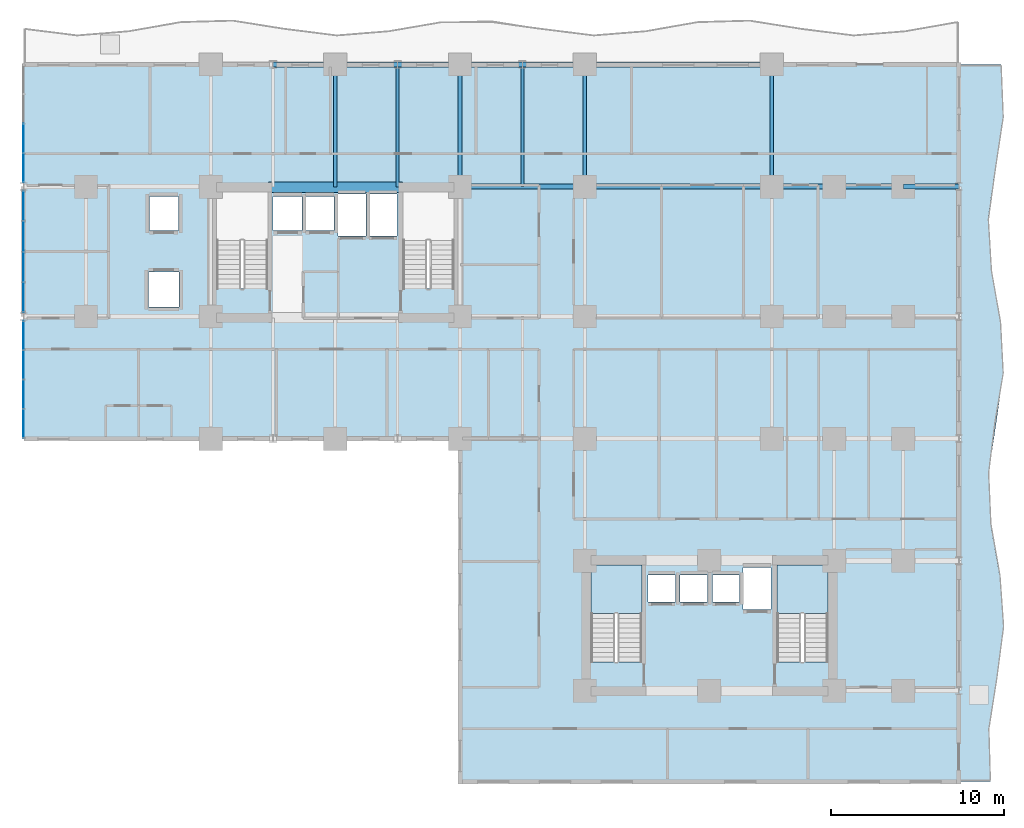
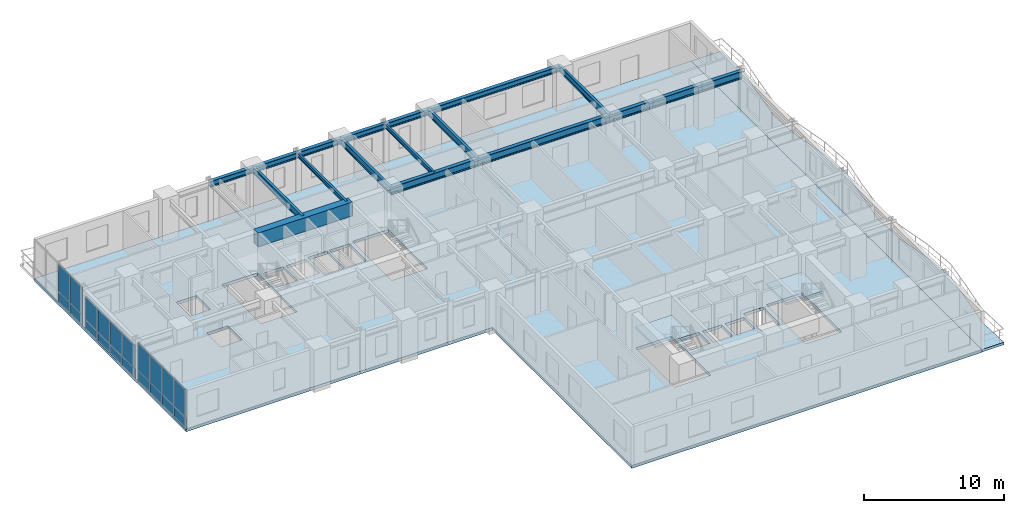
# One storey, part 9 of 19: 20 plates, 18 beams, 4 slabs, 5 elements without a shape of their own.
"""IFC4 building model written with IfcOpenShell, lengths in metres."""

from ifc_helpers import new_model, si_unit, direction, frame, origin, origin_2d, place, context, subcontext, project, spatial, polyline, rectangle, i_section, outline, extrude, source, transform, mapped, material, layer, layer_set, material_profile, profile_set, type_object, element, aggregate, save


model = new_model("IFC4")

# Units and contexts
model_context = context("Model", 3, precision=1e-05, world=origin(), true_north=direction((0.0, 1.0)))
body_context = subcontext(model_context, "Body", "Model", "MODEL_VIEW")
ifc_project = project(units=[si_unit("LENGTHUNIT", "METRE"), si_unit("AREAUNIT", "SQUARE_METRE"), si_unit("VOLUMEUNIT", "CUBIC_METRE"), si_unit("PLANEANGLEUNIT", "RADIAN"), si_unit("MASSUNIT", "GRAM", prefix="KILO")], contexts=[model_context])

# Site, building, storey
site_placement = place(None, origin())
site = spatial("IfcSite", under=ifc_project, at=site_placement, CompositionType="ELEMENT")
building_placement = place(site_placement, origin())
building = spatial("IfcBuilding", under=site, at=building_placement, Name="Kaliganga Portal Commons", CompositionType="ELEMENT")
storey_placement = place(building_placement, frame((0.0, 0.0, 32.699951171875)))
storey = spatial("IfcBuildingStorey", under=building, at=storey_placement, Name="L07", CompositionType="ELEMENT", Elevation=32.699951171875)

# Beams
ifc_material_1 = material(Name="Concrete C60/75", Category="concrete")
ifc_material_profile_1 = material_profile(ifc_material_1, rectangle(XDim=0.60009765625, YDim=1.199951171875, at=origin_2d()), Name="RC 600x1200")
ifc_profile_set_1 = profile_set([ifc_material_profile_1], Name="Concrete C60/75")
beam_type_1 = type_object("IfcBeamType", Name="BM-CPL-1200", PredefinedType="LINTEL", material=ifc_profile_set_1)
shared_shape_1 = source(origin(), body_context, "Body", "SweptSolid", [
    extrude(rectangle(XDim=0.60009765625, YDim=1.199951171875, at=origin_2d()), origin(), (0.0, 0.0, 1.0), 7.739990234375),
])
beam_1_placement = place(storey_placement, frame((17.72998046875, 36.125, 2.85009765625), z_axis=(1.0, 0.0, 0.0), x_axis=(0.0, 1.0, 0.0)))
element("IfcBeam", 1, at=beam_1_placement, inside=storey, type_object=beam_type_1, Name="BM CPL COREA L07 N", PredefinedType="LINTEL", context=body_context, shape_type="MappedRepresentation", body=[
    mapped(shared_shape_1, transform((0.0, 0.0, 0.0), x_axis=(1.0, 0.0, 0.0), y_axis=(0.0, 1.0, 0.0), z_axis=(0.0, 0.0, 1.0), scale=1.0)),
])
ifc_material_2 = material(Name="Structural steel S355J2", Category="steel")
ifc_material_profile_2 = material_profile(ifc_material_2, i_section(OverallWidth=0.300048828125, OverallDepth=0.5, WebThickness=0.014404296875, FlangeThickness=0.028076171875, FilletRadius=0.027099609375, at=origin_2d()), Name="HE 500 B")
ifc_profile_set_2 = profile_set([ifc_material_profile_2], Name="Structural steel S355J2 wide-flange")
beam_type_2 = type_object("IfcBeamType", Name="BM-SPAND-500", PredefinedType="SPANDREL", material=ifc_profile_set_2)
shared_shape_2 = source(origin(), body_context, "Body", "SweptSolid", [
    extrude(i_section(OverallWidth=0.300048828125, OverallDepth=0.5, WebThickness=0.014404296875, FlangeThickness=0.028076171875, FilletRadius=0.027099609375, at=origin_2d()), origin(), (0.0, 0.0, 1.0), 10.800048828125),
])
beam_2_placement = place(storey_placement, frame((36.0, 43.199951171875, 3.199951171875), z_axis=(1.0, 0.0, 0.0), x_axis=(0.0, 1.0, 0.0)))
element("IfcBeam", 2, at=beam_2_placement, inside=storey, type_object=beam_type_2, Name="BM SP L07 AN 7", PredefinedType="SPANDREL", context=body_context, shape_type="MappedRepresentation", body=[
    mapped(shared_shape_2, transform((0.0, 0.0, 0.0), x_axis=(1.0, 0.0, 0.0), y_axis=(0.0, 1.0, 0.0), z_axis=(0.0, 0.0, 1.0), scale=1.0)),
])
shared_shape_3 = source(origin(), body_context, "Body", "SweptSolid", [
    extrude(i_section(OverallWidth=0.300048828125, OverallDepth=0.5, WebThickness=0.014404296875, FlangeThickness=0.028076171875, FilletRadius=0.027099609375, at=origin_2d()), origin(), (0.0, 0.0, 1.0), 3.60009765625),
])
for number, where, z_axis, x_axis, name in (
    (3, (18.0, 43.199951171875, 3.199951171875), (1.0, 0.0, 0.0), (0.0, 1.0, 0.0), "BM SP L07 AN 2"),
    (4, (25.199951171875, 43.199951171875, 3.199951171875), (1.0, 0.0, 0.0), (0.0, 1.0, 0.0), "BM SP L07 AN 4"),
    (5, (32.39990234375, 43.199951171875, 3.199951171875), (1.0, 0.0, 0.0), (0.0, 1.0, 0.0), "BM SP L07 AN 6"),
):
    element("IfcBeam", number, at=place(storey_placement, frame(where, z_axis=z_axis, x_axis=x_axis)), inside=storey, type_object=beam_type_2, Name=name, PredefinedType="SPANDREL", context=body_context, shape_type="MappedRepresentation", body=[
        mapped(shared_shape_3, transform((0.0, 0.0, 0.0), x_axis=(1.0, 0.0, 0.0), y_axis=(0.0, 1.0, 0.0), z_axis=(0.0, 0.0, 1.0), scale=1.0)),
    ])
shared_shape_4 = source(origin(), body_context, "Body", "SweptSolid", [
    extrude(i_section(OverallWidth=0.300048828125, OverallDepth=0.5, WebThickness=0.014404296875, FlangeThickness=0.028076171875, FilletRadius=0.027099609375, at=origin_2d()), origin(), (0.0, 0.0, 1.0), 3.599853515625),
])
for number, where, z_axis, x_axis, name in (
    (6, (21.60009765625, 43.199951171875, 3.199951171875), (1.0, 0.0, 0.0), (0.0, 1.0, 0.0), "BM SP L07 AN 3"),
    (7, (28.800048828125, 43.199951171875, 3.199951171875), (1.0, 0.0, 0.0), (0.0, 1.0, 0.0), "BM SP L07 AN 5"),
):
    element("IfcBeam", number, at=place(storey_placement, frame(where, z_axis=z_axis, x_axis=x_axis)), inside=storey, type_object=beam_type_2, Name=name, PredefinedType="SPANDREL", context=body_context, shape_type="MappedRepresentation", body=[
        mapped(shared_shape_4, transform((0.0, 0.0, 0.0), x_axis=(1.0, 0.0, 0.0), y_axis=(0.0, 1.0, 0.0), z_axis=(0.0, 0.0, 1.0), scale=1.0)),
    ])
ifc_material_profile_3 = material_profile(ifc_material_2, i_section(OverallWidth=0.300048828125, OverallDepth=0.64990234375, WebThickness=0.01611328125, FlangeThickness=0.031005859375, FilletRadius=0.027099609375, at=origin_2d()), Name="HE 650 B")
ifc_profile_set_3 = profile_set([ifc_material_profile_3], Name="Structural steel S355J2 wide-flange")
beam_type_3 = type_object("IfcBeamType", Name="BM-GIRD-650", PredefinedType="USERDEFINED", material=ifc_profile_set_3)
shared_shape_5 = source(origin(), body_context, "Body", "SweptSolid", [
    extrude(i_section(OverallWidth=0.300048828125, OverallDepth=0.64990234375, WebThickness=0.01611328125, FlangeThickness=0.031005859375, FilletRadius=0.027099609375, at=origin_2d()), origin(), (0.0, 0.0, 1.0), 3.599853515625),
])
beam_3_placement = place(storey_placement, frame((46.800048828125, 36.14990234375, 3.125), z_axis=(1.0, 0.0, 0.0), x_axis=(0.0, 1.0, 0.0)))
element("IfcBeam", 8, at=beam_3_placement, inside=storey, type_object=beam_type_3, Name="BM G L07 BKE362 1", ObjectType="GIRDER", PredefinedType="USERDEFINED", context=body_context, shape_type="MappedRepresentation", body=[
    mapped(shared_shape_5, transform((0.0, 0.0, 0.0), x_axis=(1.0, 0.0, 0.0), y_axis=(0.0, 1.0, 0.0), z_axis=(0.0, 0.0, 1.0), scale=1.0)),
])
shared_shape_6 = source(origin(), body_context, "Body", "SweptSolid", [
    extrude(i_section(OverallWidth=0.300048828125, OverallDepth=0.64990234375, WebThickness=0.01611328125, FlangeThickness=0.031005859375, FilletRadius=0.027099609375, at=origin_2d()), origin(), (0.0, 0.0, 1.0), 7.199951171875),
])
beam_4_placement = place(storey_placement, frame((28.800048828125, 36.14990234375, 3.125), z_axis=(1.0, 0.0, 0.0), x_axis=(0.0, 1.0, 0.0)))
element("IfcBeam", 9, at=beam_4_placement, inside=storey, type_object=beam_type_3, Name="BM G L07 WAE_N 1", ObjectType="GIRDER", PredefinedType="USERDEFINED", context=body_context, shape_type="MappedRepresentation", body=[
    mapped(shared_shape_6, transform((0.0, 0.0, 0.0), x_axis=(1.0, 0.0, 0.0), y_axis=(0.0, 1.0, 0.0), z_axis=(0.0, 0.0, 1.0), scale=1.0)),
])
shared_shape_7 = source(origin(), body_context, "Body", "SweptSolid", [
    extrude(i_section(OverallWidth=0.300048828125, OverallDepth=0.64990234375, WebThickness=0.01611328125, FlangeThickness=0.031005859375, FilletRadius=0.027099609375, at=origin_2d()), origin(), (0.0, 0.0, 1.0), 10.800048828125),
])
beam_5_placement = place(storey_placement, frame((36.0, 36.14990234375, 3.125), z_axis=(1.0, 0.0, 0.0), x_axis=(0.0, 1.0, 0.0)))
element("IfcBeam", 10, at=beam_5_placement, inside=storey, type_object=beam_type_3, Name="BM G L07 WAE_N 2", ObjectType="GIRDER", PredefinedType="USERDEFINED", context=body_context, shape_type="MappedRepresentation", body=[
    mapped(shared_shape_7, transform((0.0, 0.0, 0.0), x_axis=(1.0, 0.0, 0.0), y_axis=(0.0, 1.0, 0.0), z_axis=(0.0, 0.0, 1.0), scale=1.0)),
])
ifc_material_profile_4 = material_profile(ifc_material_2, i_section(OverallWidth=0.2099609375, OverallDepth=0.550048828125, WebThickness=0.010986328125, FlangeThickness=0.01708984375, FilletRadius=0.02392578125, at=origin_2d()), Name="IPE 550")
ifc_profile_set_4 = profile_set([ifc_material_profile_4], Name="Structural steel S355J2 wide-flange")
beam_type_4 = type_object("IfcBeamType", Name="BM-FLR-550", PredefinedType="BEAM", material=ifc_profile_set_4)
shared_shape_8 = source(origin(), body_context, "Body", "SweptSolid", [
    extrude(i_section(OverallWidth=0.2099609375, OverallDepth=0.550048828125, WebThickness=0.010986328125, FlangeThickness=0.01708984375, FilletRadius=0.02392578125, at=origin_2d()), origin(), (0.0, 0.0, 1.0), 7.050048828125),
])
for number, where, z_axis, x_axis, name in (
    (11, (28.800048828125, 36.14990234375, 3.175048828125), (0.0, 1.0, 0.0), (-1.0, 0.0, 0.0), "BM G L07 AN288"),
    (12, (36.0, 36.14990234375, 3.175048828125), (0.0, 1.0, 0.0), (-1.0, 0.0, 0.0), "BM G L07 AN360"),
    (13, (46.800048828125, 36.14990234375, 3.175048828125), (0.0, 1.0, 0.0), (-1.0, 0.0, 0.0), "BM G L07 AN468"),
):
    element("IfcBeam", number, at=place(storey_placement, frame(where, z_axis=z_axis, x_axis=x_axis)), inside=storey, type_object=beam_type_4, Name=name, PredefinedType="BEAM", context=body_context, shape_type="MappedRepresentation", body=[
        mapped(shared_shape_8, transform((0.0, 0.0, 0.0), x_axis=(1.0, 0.0, 0.0), y_axis=(0.0, 1.0, 0.0), z_axis=(0.0, 0.0, 1.0), scale=1.0)),
    ])
ifc_material_profile_5 = material_profile(ifc_material_2, i_section(OverallWidth=0.169921875, OverallDepth=0.360107421875, WebThickness=0.008056640625, FlangeThickness=0.0126953125, FilletRadius=0.01806640625, at=origin_2d()), Name="IPE 360")
ifc_profile_set_5 = profile_set([ifc_material_profile_5], Name="Structural steel S355J2 wide-flange")
beam_type_5 = type_object("IfcBeamType", Name="BM-JST-360", PredefinedType="JOIST", material=ifc_profile_set_5)
shared_shape_9 = source(origin(), body_context, "Body", "SweptSolid", [
    extrude(i_section(OverallWidth=0.169921875, OverallDepth=0.360107421875, WebThickness=0.008056640625, FlangeThickness=0.0126953125, FilletRadius=0.01806640625, at=origin_2d()), origin(), (0.0, 0.0, 1.0), 7.074951171875),
])
beam_6_placement = place(storey_placement, frame((25.199951171875, 36.125, 3.27001953125), z_axis=(0.0, 1.0, 0.0), x_axis=(-1.0, 0.0, 0.0)))
element("IfcBeam", 14, at=beam_6_placement, inside=storey, type_object=beam_type_5, Name="BM G L07 AN252", PredefinedType="JOIST", context=body_context, shape_type="MappedRepresentation", body=[
    mapped(shared_shape_9, transform((0.0, 0.0, 0.0), x_axis=(1.0, 0.0, 0.0), y_axis=(0.0, 1.0, 0.0), z_axis=(0.0, 0.0, 1.0), scale=1.0)),
])
shared_shape_10 = source(origin(), body_context, "Body", "SweptSolid", [
    extrude(i_section(OverallWidth=0.2099609375, OverallDepth=0.550048828125, WebThickness=0.010986328125, FlangeThickness=0.01708984375, FilletRadius=0.02392578125, at=origin_2d()), origin(), (0.0, 0.0, 1.0), 7.074951171875),
])
beam_7_placement = place(storey_placement, frame((21.60009765625, 36.125, 3.175048828125), z_axis=(0.0, 1.0, 0.0), x_axis=(-1.0, 0.0, 0.0)))
element("IfcBeam", 15, at=beam_7_placement, inside=storey, type_object=beam_type_4, Name="BM G L07 AN216", PredefinedType="BEAM", context=body_context, shape_type="MappedRepresentation", body=[
    mapped(shared_shape_10, transform((0.0, 0.0, 0.0), x_axis=(1.0, 0.0, 0.0), y_axis=(0.0, 1.0, 0.0), z_axis=(0.0, 0.0, 1.0), scale=1.0)),
])
shared_shape_11 = source(origin(), body_context, "Body", "SweptSolid", [
    extrude(i_section(OverallWidth=0.169921875, OverallDepth=0.360107421875, WebThickness=0.008056640625, FlangeThickness=0.0126953125, FilletRadius=0.01806640625, at=origin_2d()), origin(), (0.0, 0.0, 1.0), 7.050048828125),
])
beam_8_placement = place(storey_placement, frame((32.39990234375, 36.14990234375, 3.27001953125), z_axis=(0.0, 1.0, 0.0), x_axis=(-1.0, 0.0, 0.0)))
element("IfcBeam", 16, at=beam_8_placement, inside=storey, type_object=beam_type_5, Name="BM G L07 AN324", PredefinedType="JOIST", context=body_context, shape_type="MappedRepresentation", body=[
    mapped(shared_shape_11, transform((0.0, 0.0, 0.0), x_axis=(1.0, 0.0, 0.0), y_axis=(0.0, 1.0, 0.0), z_axis=(0.0, 0.0, 1.0), scale=1.0)),
])
shared_shape_12 = source(origin(), body_context, "Body", "SweptSolid", [
    extrude(i_section(OverallWidth=0.300048828125, OverallDepth=0.64990234375, WebThickness=0.01611328125, FlangeThickness=0.031005859375, FilletRadius=0.027099609375, at=origin_2d()), origin(), (0.0, 0.0, 1.0), 4.0),
])
beam_9_placement = place(storey_placement, frame((50.39990234375, 36.14990234375, 3.125), z_axis=(1.0, 0.0, 0.0), x_axis=(0.0, 1.0, 0.0)))
element("IfcBeam", 17, at=beam_9_placement, inside=storey, type_object=beam_type_3, Name="BM G L07 BKE362 2", ObjectType="GIRDER", PredefinedType="USERDEFINED", context=body_context, shape_type="MappedRepresentation", body=[
    mapped(shared_shape_12, transform((0.0, 0.0, 0.0), x_axis=(1.0, 0.0, 0.0), y_axis=(0.0, 1.0, 0.0), z_axis=(0.0, 0.0, 1.0), scale=1.0)),
])
shared_shape_13 = source(origin(), body_context, "Body", "SweptSolid", [
    extrude(i_section(OverallWidth=0.300048828125, OverallDepth=0.64990234375, WebThickness=0.01611328125, FlangeThickness=0.031005859375, FilletRadius=0.027099609375, at=origin_2d()), origin(), (0.0, 0.0, 1.0), 3.2001953125),
])
beam_10_placement = place(storey_placement, frame((54.39990234375, 36.14990234375, 3.125), z_axis=(1.0, 0.0, 0.0), x_axis=(0.0, 1.0, 0.0)))
element("IfcBeam", 18, at=beam_10_placement, inside=storey, type_object=beam_type_3, Name="BM G L07 BKE362 3", ObjectType="GIRDER", PredefinedType="USERDEFINED", context=body_context, shape_type="MappedRepresentation", body=[
    mapped(shared_shape_13, transform((0.0, 0.0, 0.0), x_axis=(1.0, 0.0, 0.0), y_axis=(0.0, 1.0, 0.0), z_axis=(0.0, 0.0, 1.0), scale=1.0)),
])

# Slab
ifc_material_3 = material(Name="Concrete C40/50", Category="concrete")
ifc_layer_1 = layer(ifc_material_3, 0.2099609375)
ifc_layer_set_1 = layer_set([ifc_layer_1], Name="Concrete C40/50")
slab_type_1 = type_object("IfcSlabType", Name="SLB-BALC-210", PredefinedType="FLOOR", material=ifc_layer_set_1)
slab_1_placement = place(storey_placement, frame((0.0, 0.0, -0.2099609375)))
element("IfcSlab", 19, at=slab_1_placement, inside=storey, type_object=slab_type_1, Name="Scalloped Tree-Planter Balcony Slab L07 balc_east", PredefinedType="FLOOR", context=body_context, shape_type="SweptSolid", body=[
    extrude(outline(polyline([(57.60009765625, 1.800048828125), (59.42041015625, 1.800048828125), (59.33251953125, 4.757080078125), (59.798583984375, 7.71435546875), (60.18994140625, 10.67138671875), (59.979248046875, 13.628662109375), (59.450439453125, 16.585693359375), (59.31640625, 19.54296875), (59.757568359375, 22.5), (60.179443359375, 25.45703125), (60.013427734375, 28.414306640625), (59.483154296875, 31.371337890625), (59.303466796875, 34.32861328125), (59.716552734375, 37.28564453125), (60.16552734375, 40.242919921875), (60.04541015625, 43.199951171875), (57.60009765625, 43.199951171875), (57.60009765625, 1.800048828125)])), origin(), (0.0, 0.0, 1.0), 0.2099609375),
])

# Stair, slab
stair_type = type_object("IfcStairType", Name="ST-CORE-DOGLEG", PredefinedType="HALF_TURN_STAIR", material=ifc_material_3)
stair_1_placement = place(storey_placement, origin())
stair_1 = element("IfcStair", 20, at=stair_1_placement, inside=storey, type_object=stair_type, Name="L07 Protected Exit Stair ST-B1", PredefinedType="HALF_TURN_STAIR")
ifc_layer_2 = layer(ifc_material_3, 0.199951171875)
ifc_layer_set_2 = layer_set([ifc_layer_2], Name="Concrete C40/50")
slab_type_2 = type_object("IfcSlabType", Name="SLB-STAIR-LND", PredefinedType="LANDING", material=ifc_layer_set_2)
slab_2_placement = place(storey_placement, frame((0.0, 0.0, 1.650146484375)))
slab_2 = element("IfcSlab", 21, at=slab_2_placement, type_object=slab_type_2, Name="ST-B1 landing 1", PredefinedType="LANDING", context=body_context, shape_type="SweptSolid", body=[
    extrude(outline(polyline([(39.300048828125, 11.5), (39.300048828125, 14.300048828125), (36.35009765625, 14.300048828125), (36.35009765625, 11.5), (39.300048828125, 11.5)])), origin(), (0.0, 0.0, 1.0), 0.199951171875),
])
aggregate(stair_1, [slab_2])

stair_2_placement = place(storey_placement, origin())
stair_2 = element("IfcStair", 22, at=stair_2_placement, inside=storey, type_object=stair_type, Name="L07 Protected Exit Stair ST-B2", PredefinedType="HALF_TURN_STAIR")
slab_3_placement = place(storey_placement, frame((0.0, 0.0, 1.650146484375)))
slab_3 = element("IfcSlab", 23, at=slab_3_placement, type_object=slab_type_2, Name="ST-B2 landing 1", PredefinedType="LANDING", context=body_context, shape_type="SweptSolid", body=[
    extrude(outline(polyline([(50.050048828125, 11.5), (50.050048828125, 14.300048828125), (47.10009765625, 14.300048828125), (47.10009765625, 11.5), (50.050048828125, 11.5)])), origin(), (0.0, 0.0, 1.0), 0.199951171875),
])
aggregate(stair_2, [slab_3])

# Slab
ifc_layer_3 = layer(ifc_material_3, 0.25)
ifc_layer_set_3 = layer_set([ifc_layer_3], Name="Concrete C40/50")
slab_type_3 = type_object("IfcSlabType", Name="SLB-TWR-250", PredefinedType="FLOOR", material=ifc_layer_set_3)
slab_4_placement = place(storey_placement, frame((0.0, 0.0, -0.25)))
element("IfcSlab", 24, at=slab_4_placement, inside=storey, type_object=slab_type_3, Name="Structural Floor Slab L07", PredefinedType="FLOOR", context=body_context, shape_type="SweptSolid", body=[
    extrude(outline(polyline([(28.800048828125, 1.800048828125), (57.60009765625, 1.800048828125), (57.60009765625, 43.199951171875), (3.60009765625, 43.199951171875), (3.60009765625, 21.60009765625), (28.800048828125, 21.60009765625), (28.800048828125, 1.800048828125)]), holes=[polyline([(14.75, 30.25390625), (14.75, 35.85009765625), (17.699951171875, 35.85009765625), (17.699951171875, 30.25390625), (14.75, 30.25390625)]), polyline([(25.5, 30.25390625), (25.5, 35.85009765625), (28.449951171875, 35.85009765625), (28.449951171875, 30.25390625), (25.5, 30.25390625)]), polyline([(36.35009765625, 8.7041015625), (36.35009765625, 14.300048828125), (39.300048828125, 14.300048828125), (39.300048828125, 8.7041015625), (36.35009765625, 8.7041015625)]), polyline([(47.10009765625, 8.7041015625), (47.10009765625, 14.300048828125), (50.050048828125, 14.300048828125), (50.050048828125, 8.7041015625), (47.10009765625, 8.7041015625)]), polyline([(18.014892578125, 33.614990234375), (18.014892578125, 35.5849609375), (19.68505859375, 35.5849609375), (19.68505859375, 33.614990234375), (18.014892578125, 33.614990234375)]), polyline([(19.864990234375, 33.614990234375), (19.864990234375, 35.5849609375), (21.534912109375, 35.5849609375), (21.534912109375, 33.614990234375), (19.864990234375, 33.614990234375)]), polyline([(10.81494140625, 29.18994140625), (10.81494140625, 31.2099609375), (12.5849609375, 31.2099609375), (12.5849609375, 29.18994140625), (10.81494140625, 29.18994140625)]), polyline([(10.864990234375, 33.614990234375), (10.864990234375, 35.5849609375), (12.534912109375, 35.5849609375), (12.534912109375, 33.614990234375), (10.864990234375, 33.614990234375)]), polyline([(21.739990234375, 33.2900390625), (21.739990234375, 35.7099609375), (23.360107421875, 35.7099609375), (23.360107421875, 33.2900390625), (21.739990234375, 33.2900390625)]), polyline([(23.5400390625, 33.2900390625), (23.5400390625, 35.7099609375), (25.159912109375, 35.7099609375), (25.159912109375, 33.2900390625), (23.5400390625, 33.2900390625)]), polyline([(39.6650390625, 12.1650390625), (39.6650390625, 13.735107421875), (41.235107421875, 13.735107421875), (41.235107421875, 12.1650390625), (39.6650390625, 12.1650390625)]), polyline([(41.514892578125, 12.1650390625), (41.514892578125, 13.735107421875), (43.0849609375, 13.735107421875), (43.0849609375, 12.1650390625), (41.514892578125, 12.1650390625)]), polyline([(43.364990234375, 12.1650390625), (43.364990234375, 13.735107421875), (44.93505859375, 13.735107421875), (44.93505859375, 12.1650390625), (43.364990234375, 12.1650390625)]), polyline([(45.139892578125, 11.739990234375), (45.139892578125, 14.159912109375), (46.760009765625, 14.159912109375), (46.760009765625, 11.739990234375), (45.139892578125, 11.739990234375)])]), origin(), (0.0, 0.0, 1.0), 0.25),
])

# Curtain wall, plates
ifc_material_4 = material(Name="Anodized Aluminium and Laminated Low-E Glass", Category="aluminium")
ifc_layer_4 = layer(ifc_material_4, 0.199951171875)
ifc_layer_set_4 = layer_set([ifc_layer_4], Name="Anodized Aluminium and Laminated Low-E Glass")
curtain_wall_type = type_object("IfcCurtainWallType", Name="CW-SYS-02", PredefinedType="NOTDEFINED", material=ifc_layer_set_4)
curtain_wall_1_placement = place(storey_placement, origin())
curtain_wall_1 = element("IfcCurtainWall", 25, at=curtain_wall_1_placement, inside=storey, type_object=curtain_wall_type, Name="CW 02 L07 P1E03S1", PredefinedType="NOTDEFINED")
ifc_material_5 = material(Name="Insulated Dark Spandrel Panel", Category="metal")
ifc_layer_5 = layer(ifc_material_5, 0.044921875)
ifc_layer_set_5 = layer_set([ifc_layer_5], Name="Insulated Dark Spandrel Panel")
plate_type_1 = type_object("IfcPlateType", Name="PLT-SPN-45", PredefinedType="SHEET", material=ifc_layer_set_5)
shared_shape_14 = source(origin(), body_context, "Body", "SweptSolid", [
    extrude(rectangle(XDim=1.66650390625, YDim=0.044921875, at=origin_2d()), origin(), (0.0, 0.0, 1.0), 0.929931640625),
])
plate_1_placement = place(storey_placement, frame((3.60009765625, 38.933837890625, 0.01025390625), z_axis=(0.0, 0.0, 1.0), x_axis=(0.0, -1.0, 0.0)))
plate_1 = element("IfcPlate", 26, at=plate_1_placement, type_object=plate_type_1, Name="CW:02:L07:P1E03S1 Spandrel 02", PredefinedType="SHEET", context=body_context, shape_type="MappedRepresentation", body=[
    mapped(shared_shape_14, transform((0.0, 0.0, 0.0), x_axis=(1.0, 0.0, 0.0), y_axis=(0.0, 1.0, 0.0), z_axis=(0.0, 0.0, 1.0), scale=1.0)),
])
plate_2_placement = place(storey_placement, frame((3.60009765625, 37.227294921875, 0.01025390625), z_axis=(0.0, 0.0, 1.0), x_axis=(0.0, -1.0, 0.0)))
plate_2 = element("IfcPlate", 27, at=plate_2_placement, type_object=plate_type_1, Name="CW:02:L07:P1E03S1 Spandrel 03", PredefinedType="SHEET", context=body_context, shape_type="MappedRepresentation", body=[
    mapped(shared_shape_14, transform((0.0, 0.0, 0.0), x_axis=(1.0, 0.0, 0.0), y_axis=(0.0, 1.0, 0.0), z_axis=(0.0, 0.0, 1.0), scale=1.0)),
])

curtain_wall_2_placement = place(storey_placement, origin())
curtain_wall_2 = element("IfcCurtainWall", 28, at=curtain_wall_2_placement, inside=storey, type_object=curtain_wall_type, Name="CW 02 L07 P1E03S3", PredefinedType="NOTDEFINED")
plate_3_placement = place(storey_placement, frame((3.60009765625, 27.57275390625, 0.01025390625), z_axis=(0.0, 0.0, 1.0), x_axis=(0.0, -1.0, 0.0)))
plate_3 = element("IfcPlate", 29, at=plate_3_placement, type_object=plate_type_1, Name="CW:02:L07:P1E03S3 Spandrel 00", PredefinedType="SHEET", context=body_context, shape_type="MappedRepresentation", body=[
    mapped(shared_shape_14, transform((0.0, 0.0, 0.0), x_axis=(1.0, 0.0, 0.0), y_axis=(0.0, 1.0, 0.0), z_axis=(0.0, 0.0, 1.0), scale=1.0)),
])
plate_4_placement = place(storey_placement, frame((3.60009765625, 25.8662109375, 0.01025390625), z_axis=(0.0, 0.0, 1.0), x_axis=(0.0, -1.0, 0.0)))
plate_4 = element("IfcPlate", 30, at=plate_4_placement, type_object=plate_type_1, Name="CW:02:L07:P1E03S3 Spandrel 01", PredefinedType="SHEET", context=body_context, shape_type="MappedRepresentation", body=[
    mapped(shared_shape_14, transform((0.0, 0.0, 0.0), x_axis=(1.0, 0.0, 0.0), y_axis=(0.0, 1.0, 0.0), z_axis=(0.0, 0.0, 1.0), scale=1.0)),
])
plate_5_placement = place(storey_placement, frame((3.60009765625, 24.159912109375, 0.01025390625), z_axis=(0.0, 0.0, 1.0), x_axis=(0.0, -1.0, 0.0)))
plate_5 = element("IfcPlate", 31, at=plate_5_placement, type_object=plate_type_1, Name="CW:02:L07:P1E03S3 Spandrel 02", PredefinedType="SHEET", context=body_context, shape_type="MappedRepresentation", body=[
    mapped(shared_shape_14, transform((0.0, 0.0, 0.0), x_axis=(1.0, 0.0, 0.0), y_axis=(0.0, 1.0, 0.0), z_axis=(0.0, 0.0, 1.0), scale=1.0)),
])
plate_6_placement = place(storey_placement, frame((3.60009765625, 22.453369140625, 0.01025390625), z_axis=(0.0, 0.0, 1.0), x_axis=(0.0, -1.0, 0.0)))
plate_6 = element("IfcPlate", 32, at=plate_6_placement, type_object=plate_type_1, Name="CW:02:L07:P1E03S3 Spandrel 03", PredefinedType="SHEET", context=body_context, shape_type="MappedRepresentation", body=[
    mapped(shared_shape_14, transform((0.0, 0.0, 0.0), x_axis=(1.0, 0.0, 0.0), y_axis=(0.0, 1.0, 0.0), z_axis=(0.0, 0.0, 1.0), scale=1.0)),
])

# Plate
ifc_material_6 = material(Name="Dark Solar-Control Laminated Low-E IGU", Category="glass")
ifc_layer_6 = layer(ifc_material_6, 0.028076171875)
ifc_layer_set_6 = layer_set([ifc_layer_6], Name="Dark Solar-Control Laminated Low-E IGU")
plate_type_2 = type_object("IfcPlateType", Name="PLT-GLZ-28", PredefinedType="CURTAIN_PANEL", material=ifc_layer_set_6)
shared_shape_15 = source(origin(), body_context, "Body", "SweptSolid", [
    extrude(rectangle(XDim=1.66650390625, YDim=0.028076171875, at=origin_2d()), origin(), (0.0, 0.0, 1.0), 2.39990234375),
])
plate_7_placement = place(storey_placement, frame((3.60009765625, 38.933837890625, 0.960205078125), z_axis=(0.0, 0.0, 1.0), x_axis=(0.0, -1.0, 0.0)))
plate_7 = element("IfcPlate", 33, at=plate_7_placement, type_object=plate_type_2, Name="CW:02:L07:P1E03S1 Vision IGU 02", PredefinedType="CURTAIN_PANEL", context=body_context, shape_type="MappedRepresentation", body=[
    mapped(shared_shape_15, transform((0.0, 0.0, 0.0), x_axis=(1.0, 0.0, 0.0), y_axis=(0.0, 1.0, 0.0), z_axis=(0.0, 0.0, 1.0), scale=1.0)),
])

plate_8_placement = place(storey_placement, frame((3.60009765625, 37.227294921875, 0.960205078125), z_axis=(0.0, 0.0, 1.0), x_axis=(0.0, -1.0, 0.0)))
plate_8 = element("IfcPlate", 34, at=plate_8_placement, type_object=plate_type_2, Name="CW:02:L07:P1E03S1 Vision IGU 03", PredefinedType="CURTAIN_PANEL", context=body_context, shape_type="MappedRepresentation", body=[
    mapped(shared_shape_15, transform((0.0, 0.0, 0.0), x_axis=(1.0, 0.0, 0.0), y_axis=(0.0, 1.0, 0.0), z_axis=(0.0, 0.0, 1.0), scale=1.0)),
])

aggregate(curtain_wall_1, [plate_1, plate_7, plate_2, plate_8])

plate_9_placement = place(storey_placement, frame((3.60009765625, 27.57275390625, 0.960205078125), z_axis=(0.0, 0.0, 1.0), x_axis=(0.0, -1.0, 0.0)))
plate_9 = element("IfcPlate", 35, at=plate_9_placement, type_object=plate_type_2, Name="CW:02:L07:P1E03S3 Vision IGU 00", PredefinedType="CURTAIN_PANEL", context=body_context, shape_type="MappedRepresentation", body=[
    mapped(shared_shape_15, transform((0.0, 0.0, 0.0), x_axis=(1.0, 0.0, 0.0), y_axis=(0.0, 1.0, 0.0), z_axis=(0.0, 0.0, 1.0), scale=1.0)),
])

plate_10_placement = place(storey_placement, frame((3.60009765625, 25.8662109375, 0.960205078125), z_axis=(0.0, 0.0, 1.0), x_axis=(0.0, -1.0, 0.0)))
plate_10 = element("IfcPlate", 36, at=plate_10_placement, type_object=plate_type_2, Name="CW:02:L07:P1E03S3 Vision IGU 01", PredefinedType="CURTAIN_PANEL", context=body_context, shape_type="MappedRepresentation", body=[
    mapped(shared_shape_15, transform((0.0, 0.0, 0.0), x_axis=(1.0, 0.0, 0.0), y_axis=(0.0, 1.0, 0.0), z_axis=(0.0, 0.0, 1.0), scale=1.0)),
])

plate_11_placement = place(storey_placement, frame((3.60009765625, 24.159912109375, 0.960205078125), z_axis=(0.0, 0.0, 1.0), x_axis=(0.0, -1.0, 0.0)))
plate_11 = element("IfcPlate", 37, at=plate_11_placement, type_object=plate_type_2, Name="CW:02:L07:P1E03S3 Vision IGU 02", PredefinedType="CURTAIN_PANEL", context=body_context, shape_type="MappedRepresentation", body=[
    mapped(shared_shape_15, transform((0.0, 0.0, 0.0), x_axis=(1.0, 0.0, 0.0), y_axis=(0.0, 1.0, 0.0), z_axis=(0.0, 0.0, 1.0), scale=1.0)),
])

plate_12_placement = place(storey_placement, frame((3.60009765625, 22.453369140625, 0.960205078125), z_axis=(0.0, 0.0, 1.0), x_axis=(0.0, -1.0, 0.0)))
plate_12 = element("IfcPlate", 38, at=plate_12_placement, type_object=plate_type_2, Name="CW:02:L07:P1E03S3 Vision IGU 03", PredefinedType="CURTAIN_PANEL", context=body_context, shape_type="MappedRepresentation", body=[
    mapped(shared_shape_15, transform((0.0, 0.0, 0.0), x_axis=(1.0, 0.0, 0.0), y_axis=(0.0, 1.0, 0.0), z_axis=(0.0, 0.0, 1.0), scale=1.0)),
])

aggregate(curtain_wall_2, [plate_3, plate_9, plate_4, plate_10, plate_5, plate_11, plate_6, plate_12])

# Curtain wall, plates
curtain_wall_3_placement = place(storey_placement, origin())
curtain_wall_3 = element("IfcCurtainWall", 39, at=curtain_wall_3_placement, inside=storey, type_object=curtain_wall_type, Name="CW 02 L07 P1E03S2", PredefinedType="NOTDEFINED")
shared_shape_16 = source(origin(), body_context, "Body", "SweptSolid", [
    extrude(rectangle(XDim=1.722900390625, YDim=0.044921875, at=origin_2d()), origin(), (0.0, 0.0, 1.0), 0.805908203125),
])
plate_13_placement = place(storey_placement, frame((3.60009765625, 35.04443359375, 0.01025390625), z_axis=(0.0, 0.0, 1.0), x_axis=(0.0, -1.0, 0.0)))
plate_13 = element("IfcPlate", 40, at=plate_13_placement, type_object=plate_type_1, Name="CW:02:L07:P1E03S2 Spandrel 00", PredefinedType="SHEET", context=body_context, shape_type="MappedRepresentation", body=[
    mapped(shared_shape_16, transform((0.0, 0.0, 0.0), x_axis=(1.0, 0.0, 0.0), y_axis=(0.0, 1.0, 0.0), z_axis=(0.0, 0.0, 1.0), scale=1.0)),
])
plate_14_placement = place(storey_placement, frame((3.60009765625, 33.281494140625, 0.01025390625), z_axis=(0.0, 0.0, 1.0), x_axis=(0.0, -1.0, 0.0)))
plate_14 = element("IfcPlate", 41, at=plate_14_placement, type_object=plate_type_1, Name="CW:02:L07:P1E03S2 Spandrel 01", PredefinedType="SHEET", context=body_context, shape_type="MappedRepresentation", body=[
    mapped(shared_shape_16, transform((0.0, 0.0, 0.0), x_axis=(1.0, 0.0, 0.0), y_axis=(0.0, 1.0, 0.0), z_axis=(0.0, 0.0, 1.0), scale=1.0)),
])
plate_15_placement = place(storey_placement, frame((3.60009765625, 31.5185546875, 0.01025390625), z_axis=(0.0, 0.0, 1.0), x_axis=(0.0, -1.0, 0.0)))
plate_15 = element("IfcPlate", 42, at=plate_15_placement, type_object=plate_type_1, Name="CW:02:L07:P1E03S2 Spandrel 02", PredefinedType="SHEET", context=body_context, shape_type="MappedRepresentation", body=[
    mapped(shared_shape_16, transform((0.0, 0.0, 0.0), x_axis=(1.0, 0.0, 0.0), y_axis=(0.0, 1.0, 0.0), z_axis=(0.0, 0.0, 1.0), scale=1.0)),
])
plate_16_placement = place(storey_placement, frame((3.60009765625, 29.755615234375, 0.01025390625), z_axis=(0.0, 0.0, 1.0), x_axis=(0.0, -1.0, 0.0)))
plate_16 = element("IfcPlate", 43, at=plate_16_placement, type_object=plate_type_1, Name="CW:02:L07:P1E03S2 Spandrel 03", PredefinedType="SHEET", context=body_context, shape_type="MappedRepresentation", body=[
    mapped(shared_shape_16, transform((0.0, 0.0, 0.0), x_axis=(1.0, 0.0, 0.0), y_axis=(0.0, 1.0, 0.0), z_axis=(0.0, 0.0, 1.0), scale=1.0)),
])
shared_shape_17 = source(origin(), body_context, "Body", "SweptSolid", [
    extrude(rectangle(XDim=1.722900390625, YDim=0.028076171875, at=origin_2d()), origin(), (0.0, 0.0, 1.0), 2.02392578125),
])
plate_17_placement = place(storey_placement, frame((3.60009765625, 35.04443359375, 0.836181640625), z_axis=(0.0, 0.0, 1.0), x_axis=(0.0, -1.0, 0.0)))
plate_17 = element("IfcPlate", 44, at=plate_17_placement, type_object=plate_type_2, Name="CW:02:L07:P1E03S2 Vision IGU 00", PredefinedType="CURTAIN_PANEL", context=body_context, shape_type="MappedRepresentation", body=[
    mapped(shared_shape_17, transform((0.0, 0.0, 0.0), x_axis=(1.0, 0.0, 0.0), y_axis=(0.0, 1.0, 0.0), z_axis=(0.0, 0.0, 1.0), scale=1.0)),
])
plate_18_placement = place(storey_placement, frame((3.60009765625, 33.281494140625, 0.836181640625), z_axis=(0.0, 0.0, 1.0), x_axis=(0.0, -1.0, 0.0)))
plate_18 = element("IfcPlate", 45, at=plate_18_placement, type_object=plate_type_2, Name="CW:02:L07:P1E03S2 Vision IGU 01", PredefinedType="CURTAIN_PANEL", context=body_context, shape_type="MappedRepresentation", body=[
    mapped(shared_shape_17, transform((0.0, 0.0, 0.0), x_axis=(1.0, 0.0, 0.0), y_axis=(0.0, 1.0, 0.0), z_axis=(0.0, 0.0, 1.0), scale=1.0)),
])
plate_19_placement = place(storey_placement, frame((3.60009765625, 31.5185546875, 0.836181640625), z_axis=(0.0, 0.0, 1.0), x_axis=(0.0, -1.0, 0.0)))
plate_19 = element("IfcPlate", 46, at=plate_19_placement, type_object=plate_type_2, Name="CW:02:L07:P1E03S2 Vision IGU 02", PredefinedType="CURTAIN_PANEL", context=body_context, shape_type="MappedRepresentation", body=[
    mapped(shared_shape_17, transform((0.0, 0.0, 0.0), x_axis=(1.0, 0.0, 0.0), y_axis=(0.0, 1.0, 0.0), z_axis=(0.0, 0.0, 1.0), scale=1.0)),
])
plate_20_placement = place(storey_placement, frame((3.60009765625, 29.755615234375, 0.836181640625), z_axis=(0.0, 0.0, 1.0), x_axis=(0.0, -1.0, 0.0)))
plate_20 = element("IfcPlate", 47, at=plate_20_placement, type_object=plate_type_2, Name="CW:02:L07:P1E03S2 Vision IGU 03", PredefinedType="CURTAIN_PANEL", context=body_context, shape_type="MappedRepresentation", body=[
    mapped(shared_shape_17, transform((0.0, 0.0, 0.0), x_axis=(1.0, 0.0, 0.0), y_axis=(0.0, 1.0, 0.0), z_axis=(0.0, 0.0, 1.0), scale=1.0)),
])
aggregate(curtain_wall_3, [plate_13, plate_17, plate_14, plate_18, plate_15, plate_19, plate_16, plate_20])

save(model, "model.ifc")
